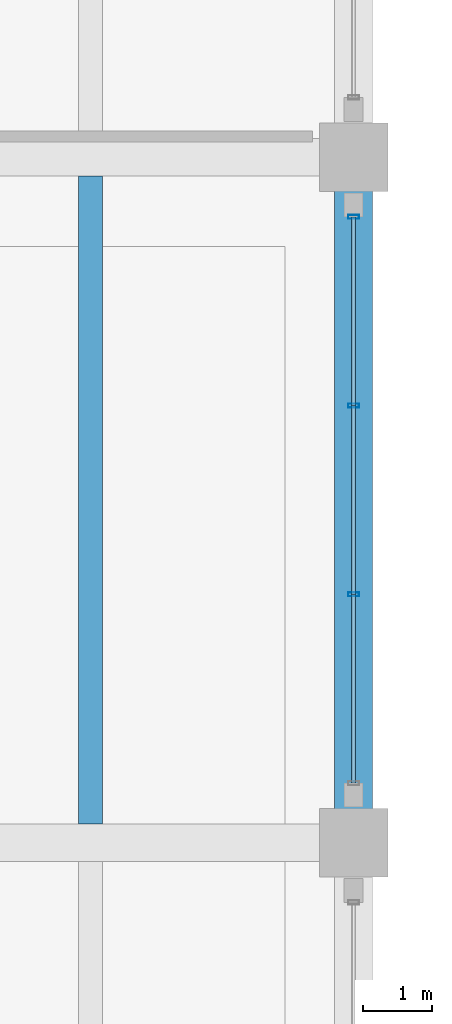
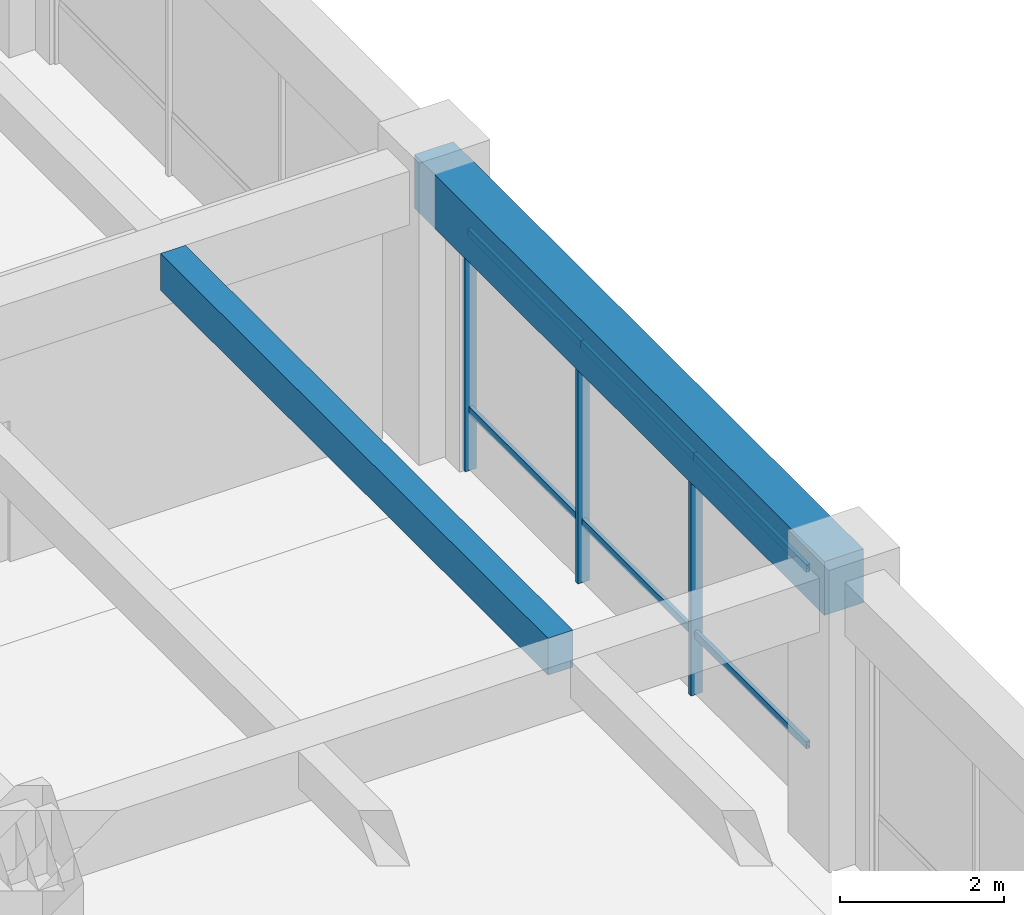
# One storey, part 80 of 154: 9 members, 2 beams, 1 element without a shape of its own.
"""IFC4 building model written with IfcOpenShell, lengths in metres."""

from ifc_helpers import new_model, si_unit, direction, frame, origin, origin_2d, place, context, subcontext, project, spatial, rectangle, hollow_rectangle, extrude, material, material_profile, profile_set, type_object, element, aggregate, save


model = new_model("IFC4")

# Units and contexts
model_context = context("Model", 3, precision=1e-05, world=origin(), true_north=direction((0.0, 1.0)))
body_context = subcontext(model_context, "Body", "Model", "MODEL_VIEW")
ifc_project = project(units=[si_unit("LENGTHUNIT", "METRE"), si_unit("AREAUNIT", "SQUARE_METRE"), si_unit("VOLUMEUNIT", "CUBIC_METRE"), si_unit("PLANEANGLEUNIT", "RADIAN"), si_unit("MASSUNIT", "GRAM", prefix="KILO")], contexts=[model_context])

# Site, building, storey
site_placement = place(None, origin())
site = spatial("IfcSite", under=ifc_project, at=site_placement, CompositionType="ELEMENT")
building_placement = place(site_placement, origin())
building = spatial("IfcBuilding", under=site, at=building_placement, Name="Ologun Quay Terminus", CompositionType="ELEMENT")
storey_placement = place(building_placement, frame((0.0, 0.0, 13.800048828125)))
storey = spatial("IfcBuildingStorey", under=building, at=storey_placement, Name="L03", CompositionType="ELEMENT", Elevation=13.800048828125)

# Curtain wall, members
ifc_material_1 = material(Name="Aluminium 6063-T6", Category="aluminium")
curtain_wall_type = type_object("IfcCurtainWallType", Name="Rain-Garden West Courtyard Curtain Wall L03 8200x4150", PredefinedType="USERDEFINED", material=ifc_material_1)
curtain_wall_placement = place(storey_placement, origin())
curtain_wall = element("IfcCurtainWall", 1, at=curtain_wall_placement, inside=storey, type_object=curtain_wall_type, Name="CW-16 Curtain Wall CW-L03-112", ObjectType="UNITISED CURTAIN WALL", PredefinedType="USERDEFINED")
ifc_material_2 = material(Name="Aluminium 6063-T6", Category="aluminium")
ifc_material_profile_1 = material_profile(ifc_material_2, hollow_rectangle(XDim=0.06005859375, YDim=0.159912109375, WallThickness=0.00390625, at=origin_2d()), Name="ALU 160x60x4")
ifc_profile_set_1 = profile_set([ifc_material_profile_1], Name="Aluminium 6063-T6")
member_type_1 = type_object("IfcMemberType", Name="Courtyard Screen Mullion 160x65", PredefinedType="MULLION", material=ifc_profile_set_1)
member_1_placement = place(storey_placement, frame((69.0, 98.42333984375, 0.0), z_axis=(0.0, 0.0, 1.0), x_axis=(0.0, 1.0, 0.0)))
member_1 = element("IfcMember", 2, at=member_1_placement, type_object=member_type_1, Name="CW-L03-112 Mullion 2", PredefinedType="MULLION", context=body_context, shape_type="SweptSolid", body=[
    extrude(hollow_rectangle(XDim=0.06005859375, YDim=0.159912109375, WallThickness=0.00390625, at=origin_2d()), origin(), (0.0, 0.0, 1.0), 4.22998046875),
])
member_2_placement = place(storey_placement, frame((69.0, 101.1767578125, 0.0), z_axis=(0.0, 0.0, 1.0), x_axis=(0.0, 1.0, 0.0)))
member_2 = element("IfcMember", 3, at=member_2_placement, type_object=member_type_1, Name="CW-L03-112 Mullion 3", PredefinedType="MULLION", context=body_context, shape_type="SweptSolid", body=[
    extrude(hollow_rectangle(XDim=0.06005859375, YDim=0.159912109375, WallThickness=0.00390625, at=origin_2d()), origin(), (0.0, 0.0, 1.0), 4.22998046875),
])
member_3_placement = place(storey_placement, frame((69.0, 103.929931640625, 0.0), z_axis=(0.0, 0.0, 1.0), x_axis=(0.0, 1.0, 0.0)))
member_3 = element("IfcMember", 4, at=member_3_placement, type_object=member_type_1, Name="CW-L03-112 Mullion 4", PredefinedType="MULLION", context=body_context, shape_type="SweptSolid", body=[
    extrude(hollow_rectangle(XDim=0.06005859375, YDim=0.159912109375, WallThickness=0.00390625, at=origin_2d()), origin(), (0.0, 0.0, 1.0), 4.22998046875),
])
ifc_material_3 = material(Name="Aluminium 6063-T6", Category="aluminium")
ifc_material_profile_2 = material_profile(ifc_material_3, hollow_rectangle(XDim=0.054931640625, YDim=0.110107421875, WallThickness=0.00390625, at=origin_2d()), Name="ALU 110x55x4")
ifc_profile_set_2 = profile_set([ifc_material_profile_2], Name="Aluminium 6063-T6")
member_type_2 = type_object("IfcMemberType", Name="Courtyard Screen Transom 110x55", PredefinedType="USERDEFINED", material=ifc_profile_set_2)
member_4_placement = place(storey_placement, frame((69.0, 95.669921875, 0.89990234375), z_axis=(0.0, 1.0, 0.0), x_axis=(-1.0, 0.0, 0.0)))
member_4 = element("IfcMember", 5, at=member_4_placement, type_object=member_type_2, Name="CW-L03-112 Transom B1-1", ObjectType="TRANSOM", PredefinedType="USERDEFINED", context=body_context, shape_type="SweptSolid", body=[
    extrude(hollow_rectangle(XDim=0.054931640625, YDim=0.110107421875, WallThickness=0.00390625, at=origin_2d()), origin(), (0.0, 0.0, 1.0), 2.75341796875),
])
member_5_placement = place(storey_placement, frame((69.0, 95.669921875, 3.530029296875), z_axis=(0.0, 1.0, 0.0), x_axis=(-1.0, 0.0, 0.0)))
member_5 = element("IfcMember", 6, at=member_5_placement, type_object=member_type_2, Name="CW-L03-112 Transom B1-2", ObjectType="TRANSOM", PredefinedType="USERDEFINED", context=body_context, shape_type="SweptSolid", body=[
    extrude(hollow_rectangle(XDim=0.054931640625, YDim=0.110107421875, WallThickness=0.00390625, at=origin_2d()), origin(), (0.0, 0.0, 1.0), 2.75341796875),
])
member_6_placement = place(storey_placement, frame((69.0, 98.42333984375, 0.89990234375), z_axis=(0.0, 1.0, 0.0), x_axis=(-1.0, 0.0, 0.0)))
member_6 = element("IfcMember", 7, at=member_6_placement, type_object=member_type_2, Name="CW-L03-112 Transom B2-1", ObjectType="TRANSOM", PredefinedType="USERDEFINED", context=body_context, shape_type="SweptSolid", body=[
    extrude(hollow_rectangle(XDim=0.054931640625, YDim=0.110107421875, WallThickness=0.00390625, at=origin_2d()), origin(), (0.0, 0.0, 1.0), 2.75341796875),
])
member_7_placement = place(storey_placement, frame((69.0, 98.42333984375, 3.530029296875), z_axis=(0.0, 1.0, 0.0), x_axis=(-1.0, 0.0, 0.0)))
member_7 = element("IfcMember", 8, at=member_7_placement, type_object=member_type_2, Name="CW-L03-112 Transom B2-2", ObjectType="TRANSOM", PredefinedType="USERDEFINED", context=body_context, shape_type="SweptSolid", body=[
    extrude(hollow_rectangle(XDim=0.054931640625, YDim=0.110107421875, WallThickness=0.00390625, at=origin_2d()), origin(), (0.0, 0.0, 1.0), 2.75341796875),
])
member_8_placement = place(storey_placement, frame((69.0, 101.1767578125, 0.89990234375), z_axis=(0.0, 1.0, 0.0), x_axis=(-1.0, 0.0, 0.0)))
member_8 = element("IfcMember", 9, at=member_8_placement, type_object=member_type_2, Name="CW-L03-112 Transom B3-1", ObjectType="TRANSOM", PredefinedType="USERDEFINED", context=body_context, shape_type="SweptSolid", body=[
    extrude(hollow_rectangle(XDim=0.054931640625, YDim=0.110107421875, WallThickness=0.00390625, at=origin_2d()), origin(), (0.0, 0.0, 1.0), 2.753173828125),
])
member_9_placement = place(storey_placement, frame((69.0, 101.1767578125, 3.530029296875), z_axis=(0.0, 1.0, 0.0), x_axis=(-1.0, 0.0, 0.0)))
member_9 = element("IfcMember", 10, at=member_9_placement, type_object=member_type_2, Name="CW-L03-112 Transom B3-2", ObjectType="TRANSOM", PredefinedType="USERDEFINED", context=body_context, shape_type="SweptSolid", body=[
    extrude(hollow_rectangle(XDim=0.054931640625, YDim=0.110107421875, WallThickness=0.00390625, at=origin_2d()), origin(), (0.0, 0.0, 1.0), 2.753173828125),
])
aggregate(curtain_wall, [member_1, member_2, member_3, member_4, member_5, member_6, member_7, member_8, member_9])

# Beams
ifc_material_4 = material(Name="Concrete C40/50", Category="concrete")
ifc_material_profile_3 = material_profile(ifc_material_4, rectangle(XDim=0.550048828125, YDim=0.800048828125, at=origin_2d()), Name="RC 550x800")
ifc_profile_set_3 = profile_set([ifc_material_profile_3], Name="Concrete C40/50")
beam_type_1 = type_object("IfcBeamType", Name="Courtyard Wing Primary Girder 550x800", PredefinedType="BEAM", material=ifc_profile_set_3)
beam_1_placement = place(storey_placement, frame((69.0, 94.800048828125, 3.849853515625), z_axis=(0.0, 1.0, 0.0), x_axis=(-1.0, 0.0, 0.0)))
element("IfcBeam", 11, at=beam_1_placement, inside=storey, type_object=beam_type_1, Name="B4 Beam 7/H L03", PredefinedType="BEAM", context=body_context, shape_type="SweptSolid", body=[
    extrude(rectangle(XDim=0.550048828125, YDim=0.800048828125, at=origin_2d()), origin(), (0.0, 0.0, 1.0), 10.0),
])
ifc_material_5 = material(Name="Concrete C40/50", Category="concrete")
ifc_material_profile_4 = material_profile(ifc_material_5, rectangle(XDim=0.35009765625, YDim=0.550048828125, at=origin_2d()), Name="RC 350x550")
ifc_profile_set_4 = profile_set([ifc_material_profile_4], Name="Concrete C40/50")
beam_type_2 = type_object("IfcBeamType", Name="Courtyard Wing Secondary Joist 350x550", PredefinedType="JOIST", material=ifc_profile_set_4)
beam_2_placement = place(storey_placement, frame((65.166748046875, 95.074951171875, 3.974853515625), z_axis=(0.0, 1.0, 0.0), x_axis=(-1.0, 0.0, 0.0)))
element("IfcBeam", 12, at=beam_2_placement, inside=storey, type_object=beam_type_2, Name="J2 Beam 6/H L03", PredefinedType="JOIST", context=body_context, shape_type="SweptSolid", body=[
    extrude(rectangle(XDim=0.35009765625, YDim=0.550048828125, at=origin_2d()), origin(), (0.0, 0.0, 1.0), 9.449951171875),
])

save(model, "model.ifc")
